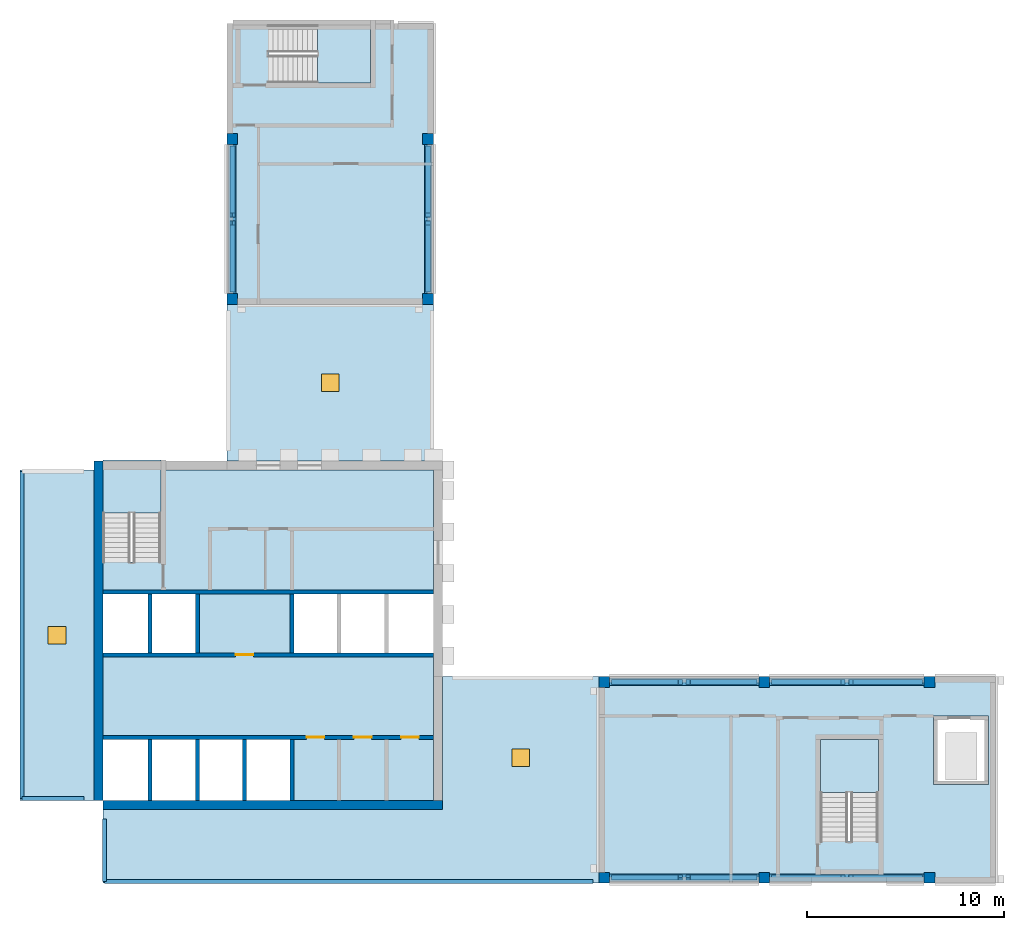
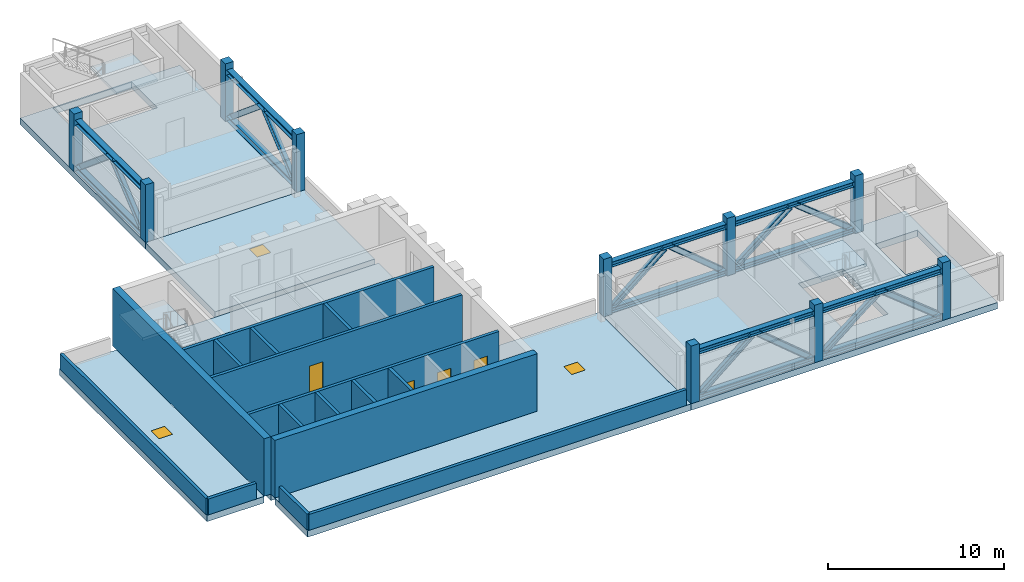
# One storey, part 1 of 8: 16 walls, 12 beams, 12 members, 10 columns, 9 slabs, 4 doors, 3 windows, 7 openings, 3 elements without a shape of their own.
"""IFC4 building model written with IfcOpenShell, lengths in metres."""

import ifcopenshell
import ifcopenshell.guid

model = None  # the IFC model being written
_history = None  # IfcOwnerHistory: only IFC2X3 demands one
_inside = {}  # id of a spatial element -> (the spatial element, [elements in it])
_under = {}  # id of a project, library or spatial element -> (it, [spatial elements below it])
_declared = {}  # id of a project -> (the project, [libraries it declares])
_typed = {}  # id of a type object -> (the type object, [elements of that type])
_made_of = {}  # id of a material, layer set ... -> (it, [elements and type objects made of it])


def new_model(schema):
    """Start an empty IFC model of exactly this schema.

    Asked for "IFC4X3", IfcOpenShell would pick the latest addendum, in which some entities
    have other attributes; the version numbers below select the first issue.
    IFC2X3 requires an IfcOwnerHistory on every rooted entity: one is made here for all.
    """
    global model, _history
    if schema == "IFC4X3":
        model = ifcopenshell.file(schema_version=(4, 3, 0, 0))
    else:
        model = ifcopenshell.file(schema=schema)
    _inside.clear()
    _under.clear()
    _declared.clear()
    _typed.clear()
    _made_of.clear()
    _history = None
    if model.schema == "IFC2X3":
        org = make("IfcOrganization", Name="unknown")
        user = make(
            "IfcPersonAndOrganization",
            ThePerson=make("IfcPerson", FamilyName="unknown"),
            TheOrganization=org,
        )
        app = make(
            "IfcApplication",
            ApplicationDeveloper=org,
            Version="unknown",
            ApplicationFullName="unknown",
            ApplicationIdentifier="unknown",
        )
        _history = make(
            "IfcOwnerHistory",
            OwningUser=user,
            OwningApplication=app,
            ChangeAction="ADDED",
            CreationDate=0,
        )
    return model


def make(cls, **values):
    """One entity of the class cls with the attributes given. An attribute that is None is left unset."""
    return model.create_entity(
        cls, **{name: value for name, value in values.items() if value is not None}
    )


def rooted(cls, **values):
    """An entity with a GlobalId (a new one), such as an element, a storey or a relation."""
    return make(cls, GlobalId=ifcopenshell.guid.new(), OwnerHistory=_history, **values)


def si_unit(unit_type, name, prefix=None):
    """IfcSIUnit, for example si_unit("LENGTHUNIT", "METRE", prefix="MILLI")."""
    return make("IfcSIUnit", UnitType=unit_type, Prefix=prefix, Name=name)


def assignment(units):
    """IfcUnitAssignment: the units of a project."""
    return None if units is None else make("IfcUnitAssignment", Units=units)


def point(xyz):
    """IfcCartesianPoint."""
    return None if xyz is None else make("IfcCartesianPoint", Coordinates=xyz)


def direction(xyz):
    """IfcDirection."""
    return None if xyz is None else make("IfcDirection", DirectionRatios=xyz)


def frame(location, z_axis=None, x_axis=None):
    """IfcAxis2Placement3D, a coordinate frame: its origin and axes. An axis left out is left unset."""
    return make(
        "IfcAxis2Placement3D",
        Location=point(location),
        Axis=direction(z_axis),
        RefDirection=direction(x_axis),
    )


def frame_2d(location, x_axis=None):
    """IfcAxis2Placement2D, a coordinate frame in the plane: its origin and x axis."""
    return make(
        "IfcAxis2Placement2D", Location=point(location), RefDirection=direction(x_axis)
    )


def origin():
    """The frame at (0, 0, 0) with its axes left unset."""
    return frame((0.0, 0.0, 0.0))


def origin_2d():
    """The frame at (0, 0) in the plane with its x axis left unset."""
    return frame_2d((0.0, 0.0))


def place(relative_to, where):
    """IfcLocalPlacement: puts the frame where relative to a parent placement (None: the world)."""
    return make(
        "IfcLocalPlacement", PlacementRelTo=relative_to, RelativePlacement=where
    )


def context(
    kind, dimensions, precision=None, world=None, true_north=None, identifier=None
):
    """IfcGeometricRepresentationContext, for example the 3D "Model" context."""
    return make(
        "IfcGeometricRepresentationContext",
        ContextIdentifier=identifier,
        ContextType=kind,
        CoordinateSpaceDimension=dimensions,
        Precision=precision,
        WorldCoordinateSystem=world,
        TrueNorth=true_north,
    )


def subcontext(parent, identifier, kind, view, scale=None):
    """IfcGeometricRepresentationSubContext, for example "Body" below "Model"."""
    return make(
        "IfcGeometricRepresentationSubContext",
        ContextIdentifier=identifier,
        ContextType=kind,
        ParentContext=parent,
        TargetScale=scale,
        TargetView=view,
    )


def project(units=None, contexts=None):
    """IfcProject with its units and contexts."""
    return rooted(
        "IfcProject",
        Name="project",
        RepresentationContexts=contexts,
        UnitsInContext=assignment(units),
    )


def spatial(cls, under=None, at=None, **own):
    """A site, building, storey or space (cls), placed at a placement, below another one or the project."""
    s = rooted(cls, ObjectPlacement=at, **own)
    if under is not None:
        _under.setdefault(under.id(), (under, []))[1].append(s)
    return s


def polyline(points):
    """IfcPolyline through the points."""
    return make("IfcPolyline", Points=[point(p) for p in points])


def profile(cls, at=None, kind="AREA", **sizes):
    """A parametric profile (cls). Its sizes go by their IFC names, for example OverallWidth=200.0."""
    return make(cls, ProfileType=kind, Position=at, **sizes)


def rectangle(**sizes):
    """IfcRectangleProfileDef."""
    return profile("IfcRectangleProfileDef", **sizes)


def i_section(**sizes):
    """IfcIShapeProfileDef."""
    return profile("IfcIShapeProfileDef", **sizes)


def outline(outer, holes=None, kind="AREA"):
    """IfcArbitraryClosedProfileDef: a profile drawn as a closed curve; with holes, ...WithVoids."""
    if holes is None:
        return make("IfcArbitraryClosedProfileDef", ProfileType=kind, OuterCurve=outer)
    return make(
        "IfcArbitraryProfileDefWithVoids",
        ProfileType=kind,
        OuterCurve=outer,
        InnerCurves=holes,
    )


def extrude(swept, where, along, depth):
    """IfcExtrudedAreaSolid: the profile swept, set in the frame where, extruded along a direction by depth."""
    return make(
        "IfcExtrudedAreaSolid",
        SweptArea=swept,
        Position=where,
        ExtrudedDirection=direction(along),
        Depth=depth,
    )


def shape(context_of_items, identifier, shape_type, items):
    """IfcShapeRepresentation: the items that make up one representation, for example the "Body"."""
    return make(
        "IfcShapeRepresentation",
        ContextOfItems=context_of_items,
        RepresentationIdentifier=identifier,
        RepresentationType=shape_type,
        Items=items,
    )


def source(mapping_origin, context_of_items, identifier, shape_type, items):
    """IfcRepresentationMap: a shape defined once, which mapped items show again and again."""
    return make(
        "IfcRepresentationMap",
        MappingOrigin=mapping_origin,
        MappedRepresentation=shape(context_of_items, identifier, shape_type, items),
    )


def transform(
    local_origin,
    x_axis=None,
    y_axis=None,
    z_axis=None,
    scale=None,
    scale2=None,
    scale3=None,
    uniform=True,
):
    """IfcCartesianTransformationOperator3D, or its non-uniform kind. x_axis, y_axis, z_axis: its Axis1, 2, 3."""
    if uniform:
        return make(
            "IfcCartesianTransformationOperator3D",
            Axis1=direction(x_axis),
            Axis2=direction(y_axis),
            LocalOrigin=point(local_origin),
            Scale=scale,
            Axis3=direction(z_axis),
        )
    return make(
        "IfcCartesianTransformationOperator3DnonUniform",
        Axis1=direction(x_axis),
        Axis2=direction(y_axis),
        LocalOrigin=point(local_origin),
        Scale=scale,
        Axis3=direction(z_axis),
        Scale2=scale2,
        Scale3=scale3,
    )


def mapped(mapping_source, mapping_target):
    """IfcMappedItem: shows the shape of a source again, moved by a transform."""
    return make(
        "IfcMappedItem", MappingSource=mapping_source, MappingTarget=mapping_target
    )


def material(Name=None, Category=None):
    """IfcMaterial."""
    return make("IfcMaterial", Name=Name, Category=Category)


def layer(
    of_material, thickness, ventilated=None, Name=None, Category=None, Priority=None
):
    """IfcMaterialLayer: one layer of a wall or slab, of a material (None: an air gap)."""
    return make(
        "IfcMaterialLayer",
        Material=of_material,
        LayerThickness=thickness,
        IsVentilated=ventilated,
        Name=Name,
        Category=Category,
        Priority=Priority,
    )


def layer_set(layers, Name=None):
    """IfcMaterialLayerSet."""
    return make("IfcMaterialLayerSet", MaterialLayers=layers, LayerSetName=Name)


def material_profile(
    of_material, cross_section, Name=None, Category=None, Priority=None
):
    """IfcMaterialProfile: a cross section and its material."""
    return make(
        "IfcMaterialProfile",
        Name=Name,
        Material=of_material,
        Profile=cross_section,
        Priority=Priority,
        Category=Category,
    )


def profile_set(profiles, Name=None, composite=None):
    """IfcMaterialProfileSet."""
    return make(
        "IfcMaterialProfileSet",
        Name=Name,
        MaterialProfiles=profiles,
        CompositeProfile=composite,
    )


def made_of(thing, what):
    """Note that an element or type object is made of a material, layer set ...; save() writes the relation."""
    if what is not None:
        _made_of.setdefault(what.id(), (what, []))[1].append(thing)
    return thing


def type_object(cls, material=None, **own):
    """A type object (cls), such as IfcWallType, which elements share."""
    return made_of(rooted(cls, **own), material)


def element(
    cls,
    number,
    at=None,
    inside=None,
    cuts=None,
    type_object=None,
    material=None,
    context=None,
    identifier="Body",
    shape_type=None,
    held_by="IfcProductDefinitionShape",
    body=None,
    shapes=None,
    **own,
):
    """One element of the class cls, such as IfcWall. Its Tag is "e" and its number.

    at: its placement. inside: the storey or other place that contains it. cuts: it is an
    opening in that element (IfcRelVoidsElement). A single representation is given by context,
    identifier, shape_type and body (its items); several are given by shapes. held_by: the class
    of the entity that holds the representations. save() writes the other relations.
    """
    e = rooted(cls, Tag="e%d" % number, ObjectPlacement=at, **own)
    if body is not None:
        shapes = [shape(context, identifier, shape_type, body)]
    if shapes is not None:
        e.Representation = make(held_by, Representations=shapes)
    if inside is not None:
        _inside.setdefault(inside.id(), (inside, []))[1].append(e)
    if cuts is not None:
        rooted(
            "IfcRelVoidsElement", RelatingBuildingElement=cuts, RelatedOpeningElement=e
        )
    if type_object is not None:
        _typed.setdefault(type_object.id(), (type_object, []))[1].append(e)
    return made_of(e, material)


def fill(opening, filler):
    """IfcRelFillsElement: the door or window that sits in an opening."""
    return rooted(
        "IfcRelFillsElement",
        RelatingOpeningElement=opening,
        RelatedBuildingElement=filler,
    )


def aggregate(whole, parts):
    """IfcRelAggregates: a whole, such as a stair, and the parts it consists of."""
    return rooted("IfcRelAggregates", RelatingObject=whole, RelatedObjects=parts)


def save(model, path):
    """Write the relations noted so far, then the file.

    IfcRelAggregates (storeys below a building ...), IfcRelContainedInSpatialStructure (elements
    in a storey), IfcRelDefinesByType, IfcRelAssociatesMaterial and IfcRelDeclares: one each for
    every whole, place, type object, material and project.
    """
    for whole, parts in _under.values():
        aggregate(whole, parts)
    for where, things in _inside.values():
        rooted(
            "IfcRelContainedInSpatialStructure",
            RelatedElements=things,
            RelatingStructure=where,
        )
    for kind, things in _typed.values():
        rooted("IfcRelDefinesByType", RelatedObjects=things, RelatingType=kind)
    for what, things in _made_of.values():
        rooted("IfcRelAssociatesMaterial", RelatedObjects=things, RelatingMaterial=what)
    for by, libraries in _declared.values():
        rooted("IfcRelDeclares", RelatingContext=by, RelatedDefinitions=libraries)
    model.write(path)


model = new_model("IFC4")

# Units and contexts
model_context = context("Model", 3, precision=1e-05, world=origin(), true_north=direction((0.0, 1.0)))
body_context = subcontext(model_context, "Body", "Model", "MODEL_VIEW")
ifc_project = project(units=[si_unit("LENGTHUNIT", "METRE"), si_unit("AREAUNIT", "SQUARE_METRE"), si_unit("VOLUMEUNIT", "CUBIC_METRE"), si_unit("PLANEANGLEUNIT", "RADIAN"), si_unit("MASSUNIT", "GRAM", prefix="KILO")], contexts=[model_context])

# Site, building, storey
site_placement = place(None, origin())
site = spatial("IfcSite", under=ifc_project, at=site_placement, CompositionType="ELEMENT")
building_placement = place(site_placement, origin())
building = spatial("IfcBuilding", under=site, at=building_placement, Name="Aurelian Terraces", CompositionType="ELEMENT")
storey_placement = place(building_placement, frame((0.0, 0.0, 368.5)))
storey = spatial("IfcBuildingStorey", under=building, at=storey_placement, Name="L88", CompositionType="ELEMENT", Elevation=368.5)

# Columns
ifc_material_1 = material(Name="Concrete fc' 55 MPa", Category="concrete")
ifc_material_profile_1 = material_profile(ifc_material_1, rectangle(XDim=0.55, YDim=0.55, at=origin_2d()))
ifc_profile_set_1 = profile_set([ifc_material_profile_1], Name="Concrete fc' 55 MPa")
column_type = type_object("IfcColumnType", Name="RC COLUMN 550X550 FC55", PredefinedType="COLUMN", material=ifc_profile_set_1)
column_placement = place(storey_placement, frame((29.675, 0.275, 0.0), z_axis=(0.0, 0.0, 1.0), x_axis=(1.0, 0.0, 0.0)))
element("IfcColumn", 1, at=column_placement, inside=storey, type_object=column_type, Name="Column 4/A L88", PredefinedType="COLUMN", context=body_context, shape_type="SweptSolid", body=[
    extrude(rectangle(XDim=0.55, YDim=0.55, at=origin_2d()), origin(), (0.0, 0.0, 1.0), 4.0),
])
shared_shape_1 = source(origin(), body_context, "Body", "SweptSolid", [
    extrude(rectangle(XDim=0.55, YDim=0.55, at=origin_2d()), origin(), (0.0, 0.0, 1.0), 4.0),
])
for number, where, z_axis, x_axis, name in (
    (2, (37.8, 0.275, 0.0), (0.0, 0.0, 1.0), (1.0, 0.0, 0.0), "Column 5/A L88"),
    (3, (46.2, 0.275, 0.0), (0.0, 0.0, 1.0), (1.0, 0.0, 0.0), "Column 6/A L88"),
    (4, (29.675, 10.225, 0.0), (0.0, 0.0, 1.0), (1.0, 0.0, 0.0), "Column 4/B L88"),
    (5, (37.8, 10.225, 0.0), (0.0, 0.0, 1.0), (1.0, 0.0, 0.0), "Column 5/B L88"),
    (6, (46.2, 10.225, 0.0), (0.0, 0.0, 1.0), (1.0, 0.0, 0.0), "Column 6/B L88"),
    (7, (10.775, 29.675, 0.0), (0.0, 0.0, 1.0), (1.0, 0.0, 0.0), "Column 2/D L88"),
    (8, (20.725, 29.675, 0.0), (0.0, 0.0, 1.0), (1.0, 0.0, 0.0), "Column 3/D L88"),
    (9, (10.775, 37.8, 0.0), (0.0, 0.0, 1.0), (1.0, 0.0, 0.0), "Column 2/E L88"),
    (10, (20.725, 37.8, 0.0), (0.0, 0.0, 1.0), (1.0, 0.0, 0.0), "Column 3/E L88"),
):
    element("IfcColumn", number, at=place(storey_placement, frame(where, z_axis=z_axis, x_axis=x_axis)), inside=storey, type_object=column_type, Name=name, PredefinedType="COLUMN", context=body_context, shape_type="MappedRepresentation", body=[
        mapped(shared_shape_1, transform((0.0, 0.0, 0.0), scale=1.0)),
    ])

# Members
ifc_material_2 = material(Name="Steel ASTM A992 Gr50", Category="steel")
ifc_material_profile_2 = material_profile(ifc_material_2, i_section(OverallWidth=0.2549, OverallDepth=0.3566, WebThickness=0.0105, FlangeThickness=0.0183, at=origin_2d()))
ifc_profile_set_2 = profile_set([ifc_material_profile_2], Name="Steel ASTM A992 Gr50")
member_type = type_object("IfcMemberType", Name="CROWN DIAGONAL W14X68", PredefinedType="BRACE", material=ifc_profile_set_2)
member_1_placement = place(storey_placement, frame((30.15, 0.275, 0.3561), z_axis=(0.767409198371, 0.0, 0.641157642282), x_axis=(0.0, 1.0, 0.0)))
element("IfcMember", 11, at=member_1_placement, inside=storey, type_object=member_type, Name="Crown diagonal 1a", PredefinedType="BRACE", context=body_context, shape_type="SweptSolid", body=[
    extrude(i_section(OverallWidth=0.2549, OverallDepth=0.3566, WebThickness=0.0105, FlangeThickness=0.0183, at=origin_2d()), origin(), (0.0, 0.0, 1.0), 4.4142),
])
member_2_placement = place(storey_placement, frame((38.275, 0.275, 0.3561), z_axis=(0.779766940385, 0.0, 0.626069899199), x_axis=(0.0, 1.0, 0.0)))
element("IfcMember", 12, at=member_2_placement, inside=storey, type_object=member_type, Name="Crown diagonal 2a", PredefinedType="BRACE", context=body_context, shape_type="SweptSolid", body=[
    extrude(i_section(OverallWidth=0.2549, OverallDepth=0.3566, WebThickness=0.0105, FlangeThickness=0.0183, at=origin_2d()), origin(), (0.0, 0.0, 1.0), 4.5206),
])

# Beams
ifc_material_profile_3 = material_profile(ifc_material_2, i_section(OverallWidth=0.371, OverallDepth=0.3637, WebThickness=0.0133, FlangeThickness=0.0218, at=origin_2d()))
ifc_profile_set_3 = profile_set([ifc_material_profile_3], Name="Steel ASTM A992 Gr50")
beam_type_1 = type_object("IfcBeamType", Name="CW901 CROWN CHORD W14X109", PredefinedType="BEAM", material=ifc_profile_set_3)
beam_1_placement = place(storey_placement, frame((29.95, 0.275, 3.3682), z_axis=(1.0, 0.0, 0.0), x_axis=(0.0, 1.0, 0.0)))
element("IfcBeam", 13, at=beam_1_placement, inside=storey, type_object=beam_type_1, Name="Crown top chord 1", PredefinedType="BEAM", context=body_context, shape_type="SweptSolid", body=[
    extrude(i_section(OverallWidth=0.371, OverallDepth=0.3637, WebThickness=0.0133, FlangeThickness=0.0218, at=origin_2d()), origin(), (0.0, 0.0, 1.0), 7.575),
])
beam_2_placement = place(storey_placement, frame((38.075, 0.275, 3.3682), z_axis=(1.0, 0.0, 0.0), x_axis=(0.0, 1.0, 0.0)))
element("IfcBeam", 14, at=beam_2_placement, inside=storey, type_object=beam_type_1, Name="Crown top chord 2", PredefinedType="BEAM", context=body_context, shape_type="SweptSolid", body=[
    extrude(i_section(OverallWidth=0.371, OverallDepth=0.3637, WebThickness=0.0133, FlangeThickness=0.0218, at=origin_2d()), origin(), (0.0, 0.0, 1.0), 7.85),
])
ifc_material_profile_4 = material_profile(ifc_material_2, i_section(OverallWidth=0.3688, OverallDepth=0.3561, WebThickness=0.0112, FlangeThickness=0.018, at=origin_2d()))
ifc_profile_set_4 = profile_set([ifc_material_profile_4], Name="Steel ASTM A992 Gr50")
beam_type_2 = type_object("IfcBeamType", Name="CW902 CROWN CHORD W14X90", PredefinedType="BEAM", material=ifc_profile_set_4)
beam_3_placement = place(storey_placement, frame((29.95, 0.275, 0.178), z_axis=(1.0, 0.0, 0.0), x_axis=(0.0, 1.0, 0.0)))
element("IfcBeam", 15, at=beam_3_placement, inside=storey, type_object=beam_type_2, Name="Crown bottom chord 1", PredefinedType="BEAM", context=body_context, shape_type="SweptSolid", body=[
    extrude(i_section(OverallWidth=0.3688, OverallDepth=0.3561, WebThickness=0.0112, FlangeThickness=0.018, at=origin_2d()), origin(), (0.0, 0.0, 1.0), 7.575),
])
beam_4_placement = place(storey_placement, frame((38.075, 0.275, 0.178), z_axis=(1.0, 0.0, 0.0), x_axis=(0.0, 1.0, 0.0)))
element("IfcBeam", 16, at=beam_4_placement, inside=storey, type_object=beam_type_2, Name="Crown bottom chord 2", PredefinedType="BEAM", context=body_context, shape_type="SweptSolid", body=[
    extrude(i_section(OverallWidth=0.3688, OverallDepth=0.3561, WebThickness=0.0112, FlangeThickness=0.018, at=origin_2d()), origin(), (0.0, 0.0, 1.0), 7.85),
])

# Members
shared_shape_2 = source(origin(), body_context, "Body", "SweptSolid", [
    extrude(i_section(OverallWidth=0.2549, OverallDepth=0.3566, WebThickness=0.0105, FlangeThickness=0.0183, at=origin_2d()), origin(), (0.0, 0.0, 1.0), 4.4142),
])
for number, where, z_axis, x_axis, name in (
    (17, (33.9375, 0.275, 3.1863), (0.767409198371, 0.0, -0.641157642282), (0.0, 1.0, 0.0), "Crown diagonal 1b"),
    (18, (30.15, 10.225, 0.3561), (0.767409198371, 0.0, 0.641157642282), (0.0, 1.0, 0.0), "Crown diagonal 3a"),
    (19, (33.9375, 10.225, 3.1863), (0.767409198371, 0.0, -0.641157642282), (0.0, 1.0, 0.0), "Crown diagonal 3b"),
    (20, (10.775, 30.15, 0.3561), (0.0, 0.767409198371, 0.641157642282), (-1.0, 0.0, 0.0), "Crown diagonal 5a"),
    (21, (10.775, 33.9375, 3.1863), (0.0, 0.767409198371, -0.641157642282), (-1.0, 0.0, 0.0), "Crown diagonal 5b"),
    (22, (20.725, 30.15, 0.3561), (0.0, 0.767409198371, 0.641157642282), (-1.0, 0.0, 0.0), "Crown diagonal 6a"),
    (23, (20.725, 33.9375, 3.1863), (0.0, 0.767409198371, -0.641157642282), (-1.0, 0.0, 0.0), "Crown diagonal 6b"),
):
    element("IfcMember", number, at=place(storey_placement, frame(where, z_axis=z_axis, x_axis=x_axis)), inside=storey, type_object=member_type, Name=name, PredefinedType="BRACE", context=body_context, shape_type="MappedRepresentation", body=[
        mapped(shared_shape_2, transform((0.0, 0.0, 0.0), scale=1.0)),
    ])
shared_shape_3 = source(origin(), body_context, "Body", "SweptSolid", [
    extrude(i_section(OverallWidth=0.2549, OverallDepth=0.3566, WebThickness=0.0105, FlangeThickness=0.0183, at=origin_2d()), origin(), (0.0, 0.0, 1.0), 4.5206),
])
for number, where, z_axis, x_axis, name in (
    (24, (42.2, 0.275, 3.1863), (0.779766940385, 0.0, -0.626069899199), (0.0, 1.0, 0.0), "Crown diagonal 2b"),
    (25, (38.275, 10.225, 0.3561), (0.779766940385, 0.0, 0.626069899199), (0.0, 1.0, 0.0), "Crown diagonal 4a"),
    (26, (42.2, 10.225, 3.1863), (0.779766940385, 0.0, -0.626069899199), (0.0, 1.0, 0.0), "Crown diagonal 4b"),
):
    element("IfcMember", number, at=place(storey_placement, frame(where, z_axis=z_axis, x_axis=x_axis)), inside=storey, type_object=member_type, Name=name, PredefinedType="BRACE", context=body_context, shape_type="MappedRepresentation", body=[
        mapped(shared_shape_3, transform((0.0, 0.0, 0.0), scale=1.0)),
    ])

# Beams
shared_shape_4 = source(origin(), body_context, "Body", "SweptSolid", [
    extrude(i_section(OverallWidth=0.371, OverallDepth=0.3637, WebThickness=0.0133, FlangeThickness=0.0218, at=origin_2d()), origin(), (0.0, 0.0, 1.0), 7.575),
])
for number, where, z_axis, x_axis, name in (
    (27, (29.95, 10.225, 3.3682), (1.0, 0.0, 0.0), (0.0, 1.0, 0.0), "Crown top chord 3"),
    (28, (10.775, 29.95, 3.3682), (0.0, 1.0, 0.0), (-1.0, 0.0, 0.0), "Crown top chord 5"),
    (29, (20.725, 29.95, 3.3682), (0.0, 1.0, 0.0), (-1.0, 0.0, 0.0), "Crown top chord 6"),
):
    element("IfcBeam", number, at=place(storey_placement, frame(where, z_axis=z_axis, x_axis=x_axis)), inside=storey, type_object=beam_type_1, Name=name, PredefinedType="BEAM", context=body_context, shape_type="MappedRepresentation", body=[
        mapped(shared_shape_4, transform((0.0, 0.0, 0.0), scale=1.0)),
    ])
shared_shape_5 = source(origin(), body_context, "Body", "SweptSolid", [
    extrude(i_section(OverallWidth=0.3688, OverallDepth=0.3561, WebThickness=0.0112, FlangeThickness=0.018, at=origin_2d()), origin(), (0.0, 0.0, 1.0), 7.575),
])
for number, where, z_axis, x_axis, name in (
    (30, (29.95, 10.225, 0.178), (1.0, 0.0, 0.0), (0.0, 1.0, 0.0), "Crown bottom chord 3"),
    (31, (10.775, 29.95, 0.178), (0.0, 1.0, 0.0), (-1.0, 0.0, 0.0), "Crown bottom chord 5"),
    (32, (20.725, 29.95, 0.178), (0.0, 1.0, 0.0), (-1.0, 0.0, 0.0), "Crown bottom chord 6"),
):
    element("IfcBeam", number, at=place(storey_placement, frame(where, z_axis=z_axis, x_axis=x_axis)), inside=storey, type_object=beam_type_2, Name=name, PredefinedType="BEAM", context=body_context, shape_type="MappedRepresentation", body=[
        mapped(shared_shape_5, transform((0.0, 0.0, 0.0), scale=1.0)),
    ])
shared_shape_6 = source(origin(), body_context, "Body", "SweptSolid", [
    extrude(i_section(OverallWidth=0.371, OverallDepth=0.3637, WebThickness=0.0133, FlangeThickness=0.0218, at=origin_2d()), origin(), (0.0, 0.0, 1.0), 7.85),
])
beam_5_placement = place(storey_placement, frame((38.075, 10.225, 3.3682), z_axis=(1.0, 0.0, 0.0), x_axis=(0.0, 1.0, 0.0)))
element("IfcBeam", 33, at=beam_5_placement, inside=storey, type_object=beam_type_1, Name="Crown top chord 4", PredefinedType="BEAM", context=body_context, shape_type="MappedRepresentation", body=[
    mapped(shared_shape_6, transform((0.0, 0.0, 0.0), scale=1.0)),
])
shared_shape_7 = source(origin(), body_context, "Body", "SweptSolid", [
    extrude(i_section(OverallWidth=0.3688, OverallDepth=0.3561, WebThickness=0.0112, FlangeThickness=0.018, at=origin_2d()), origin(), (0.0, 0.0, 1.0), 7.85),
])
beam_6_placement = place(storey_placement, frame((38.075, 10.225, 0.178), z_axis=(1.0, 0.0, 0.0), x_axis=(0.0, 1.0, 0.0)))
element("IfcBeam", 34, at=beam_6_placement, inside=storey, type_object=beam_type_2, Name="Crown bottom chord 4", PredefinedType="BEAM", context=body_context, shape_type="MappedRepresentation", body=[
    mapped(shared_shape_7, transform((0.0, 0.0, 0.0), scale=1.0)),
])

# Slabs
ifc_material_3 = material(Name="Concrete fc' 40 MPa", Category="concrete")
ifc_layer_1 = layer(ifc_material_3, 0.45)
ifc_layer_set_1 = layer_set([ifc_layer_1], Name="PT FLAT PLATE 450")
slab_type_1 = type_object("IfcSlabType", Name="PT FLAT PLATE 450", PredefinedType="FLOOR", material=ifc_layer_set_1)
slab_1_placement = place(storey_placement, frame((0.0, 0.0, -0.45)))
element("IfcSlab", 35, at=slab_1_placement, inside=storey, type_object=slab_type_1, Name="Floor slab A L88", PredefinedType="FLOOR", context=body_context, shape_type="SweptSolid", body=[
    extrude(outline(polyline([(37.8, 0.0), (29.4, 0.0), (29.4, 10.5), (49.56, 10.5), (49.56, 6.3), (49.56, 4.2), (49.56, 0.0), (46.2, 0.0), (37.8, 0.0)]), holes=[polyline([(49.19, 8.49), (46.41, 8.49), (46.41, 5.01), (49.19, 5.01), (49.19, 8.49)]), polyline([(40.66, 2.11), (43.59, 2.11), (43.59, 7.29), (40.66, 7.29), (40.66, 2.11)])]), origin(), (0.0, 0.0, 1.0), 0.45),
])
slab_2_placement = place(storey_placement, frame((0.0, 0.0, -0.45)))
element("IfcSlab", 36, at=slab_2_placement, inside=storey, type_object=slab_type_1, Name="Floor slab B L88", PredefinedType="FLOOR", context=body_context, shape_type="SweptSolid", body=[
    extrude(outline(polyline([(14.7, 43.68), (16.8, 43.68), (21.0, 43.68), (21.0, 37.8), (21.0, 29.4), (10.5, 29.4), (10.5, 43.68), (14.7, 43.68)]), holes=[polyline([(17.79, 43.59), (12.61, 43.59), (12.61, 40.66), (17.79, 40.66), (17.79, 43.59)])]), origin(), (0.0, 0.0, 1.0), 0.45),
])
slab_3_placement = place(storey_placement, frame((0.0, 0.0, -0.45)))
element("IfcSlab", 37, at=slab_3_placement, inside=storey, type_object=slab_type_1, Name="Floor slab C L88", PredefinedType="FLOOR", context=body_context, shape_type="SweptSolid", body=[
    extrude(outline(polyline([(21.0, 21.0), (21.0, 4.2), (4.2, 4.2), (4.2, 21.0), (4.21, 21.0), (4.21, 16.31), (7.14, 16.31), (7.14, 21.0), (21.0, 21.0)]), holes=[polyline([(20.99, 14.89), (13.81, 14.89), (13.81, 11.51), (20.99, 11.51), (20.99, 14.89)]), polyline([(4.21, 7.49), (4.21, 4.21), (13.79, 4.21), (13.79, 7.49), (4.21, 7.49)]), polyline([(8.99, 11.51), (8.99, 14.89), (4.21, 14.89), (4.21, 11.51), (8.99, 11.51)])]), origin(), (0.0, 0.0, 1.0), 0.45),
])

# Slab, opening, window
ifc_layer_2 = layer(ifc_material_3, 0.45)
ifc_layer_set_2 = layer_set([ifc_layer_2], Name="Roof slab 450")
slab_type_2 = type_object("IfcSlabType", Name="Roof slab 450", PredefinedType="ROOF", material=ifc_layer_set_2)
slab_4_placement = place(storey_placement, frame((0.0, 0.0, -0.45)))
slab_4 = element("IfcSlab", 38, at=slab_4_placement, inside=storey, type_object=slab_type_2, Name="Roof slab L88 L88-X1", PredefinedType="ROOF", context=body_context, shape_type="SweptSolid", body=[
    extrude(outline(polyline([(4.2, 3.749), (21.45, 3.749), (21.4501, 3.749), (21.4502, 3.749), (21.4503, 3.749), (21.4504, 3.7491), (21.4505, 3.7491), (21.4506, 3.7492), (21.4506, 3.7492), (21.4507, 3.7493), (21.4508, 3.7494), (21.4508, 3.7494), (21.4509, 3.7495), (21.4509, 3.7496), (21.451, 3.7497), (21.451, 3.7498), (21.451, 3.7499), (21.451, 3.75), (21.451, 10.5), (29.4, 10.5), (29.4, 0.0), (21.0, 0.0), (4.2, 0.0), (4.2, 3.749)])), origin(), (0.0, 0.0, 1.0), 0.45),
])
opening_1_placement = place(slab_4_placement, frame((25.425, 6.375, 0.0)))
opening_1 = element("IfcOpeningElement", 39, at=opening_1_placement, cuts=slab_4, Name="Opening RH1", PredefinedType="OPENING", context=body_context, shape_type="SweptSolid", body=[
    extrude(rectangle(XDim=0.9, YDim=0.9, at=origin_2d()), frame((0.0, 0.0, -0.01)), (0.0, 0.0, 1.0), 0.47),
])
ifc_material_4 = material(Name="Clear glazing", Category="glass")
window_type = type_object("IfcWindowType", Name="ROOF HATCH", PartitioningType="SINGLE_PANEL", PredefinedType="SKYLIGHT", material=ifc_material_4)
shared_shape_8 = source(origin(), body_context, "Body", "SweptSolid", [
    extrude(rectangle(XDim=0.9, YDim=0.9, at=origin_2d()), origin(), (0.0, 0.0, 1.0), 0.05),
])
window_1_placement = place(opening_1_placement, frame((0.0, 0.0, 0.4)))
window_1 = element("IfcWindow", 40, at=window_1_placement, inside=storey, type_object=window_type, Name="Roof access hatch L88", OverallHeight=0.9, OverallWidth=0.9, PartitioningType="SINGLE_PANEL", PredefinedType="SKYLIGHT", context=body_context, shape_type="MappedRepresentation", body=[
    mapped(shared_shape_8, transform((0.0, 0.0, 0.0), scale=1.0)),
])
fill(opening_1, window_1)

slab_5_placement = place(storey_placement, frame((0.0, 0.0, -0.45)))
slab_5 = element("IfcSlab", 41, at=slab_5_placement, inside=storey, type_object=slab_type_2, Name="Roof slab L88 L88-X2", PredefinedType="ROOF", context=body_context, shape_type="SweptSolid", body=[
    extrude(outline(polyline([(21.0, 29.4), (21.0, 21.451), (10.5, 21.451), (10.5, 29.4), (21.0, 29.4)])), origin(), (0.0, 0.0, 1.0), 0.45),
])
shared_shape_9 = source(origin(), body_context, "Body", "SweptSolid", [
    extrude(rectangle(XDim=0.9, YDim=0.9, at=origin_2d()), frame((0.0, 0.0, -0.01)), (0.0, 0.0, 1.0), 0.47),
])
opening_2_placement = place(slab_5_placement, frame((15.75, 25.425, 0.0)))
opening_2 = element("IfcOpeningElement", 42, at=opening_2_placement, cuts=slab_5, Name="Opening RH1", PredefinedType="OPENING", context=body_context, shape_type="MappedRepresentation", body=[
    mapped(shared_shape_9, transform((0.0, 0.0, 0.0), scale=1.0)),
])
window_2_placement = place(opening_2_placement, frame((0.0, 0.0, 0.4)))
window_2 = element("IfcWindow", 43, at=window_2_placement, inside=storey, type_object=window_type, Name="Roof access hatch L88", OverallHeight=0.9, OverallWidth=0.9, PartitioningType="SINGLE_PANEL", PredefinedType="SKYLIGHT", context=body_context, shape_type="MappedRepresentation", body=[
    mapped(shared_shape_8, transform((0.0, 0.0, 0.0), scale=1.0)),
])
fill(opening_2, window_2)

slab_6_placement = place(storey_placement, frame((0.0, 0.0, -0.45)))
slab_6 = element("IfcSlab", 44, at=slab_6_placement, inside=storey, type_object=slab_type_2, Name="Roof slab L88 L88-X3", PredefinedType="ROOF", context=body_context, shape_type="SweptSolid", body=[
    extrude(outline(polyline([(0.0, 10.5), (0.0, 21.0), (3.749, 21.0), (3.749, 4.2), (0.0, 4.2), (0.0, 10.5)])), origin(), (0.0, 0.0, 1.0), 0.45),
])
opening_3_placement = place(slab_6_placement, frame((1.875, 12.6, 0.0)))
opening_3 = element("IfcOpeningElement", 45, at=opening_3_placement, cuts=slab_6, Name="Opening RH1", PredefinedType="OPENING", context=body_context, shape_type="MappedRepresentation", body=[
    mapped(shared_shape_9, transform((0.0, 0.0, 0.0), scale=1.0)),
])
window_3_placement = place(opening_3_placement, frame((0.0, 0.0, 0.4)))
window_3 = element("IfcWindow", 46, at=window_3_placement, inside=storey, type_object=window_type, Name="Roof access hatch L88", OverallHeight=0.9, OverallWidth=0.9, PartitioningType="SINGLE_PANEL", PredefinedType="SKYLIGHT", context=body_context, shape_type="MappedRepresentation", body=[
    mapped(shared_shape_8, transform((0.0, 0.0, 0.0), scale=1.0)),
])
fill(opening_3, window_3)

# Stair, slab
stair_type = type_object("IfcStairType", Name="Stair 1400", PredefinedType="HALF_TURN_STAIR", material=ifc_material_3)
stair_1_placement = place(storey_placement, origin())
stair_1 = element("IfcStair", 47, at=stair_1_placement, inside=storey, type_object=stair_type, Name="L88 S3U", PredefinedType="HALF_TURN_STAIR")
ifc_layer_3 = layer(ifc_material_3, 0.2)
ifc_layer_set_3 = layer_set([ifc_layer_3], Name="Stair landing 200")
slab_type_3 = type_object("IfcSlabType", Name="Stair landing 200", PredefinedType="LANDING", material=ifc_layer_set_3)
slab_7_placement = place(storey_placement, frame((0.0, 0.0, 1.8)))
slab_7 = element("IfcSlab", 48, at=slab_7_placement, type_object=slab_type_3, Name="S3U landing 1", PredefinedType="LANDING", context=body_context, shape_type="SweptSolid", body=[
    extrude(outline(polyline([(15.1, 40.65), (17.8, 40.65), (17.8, 43.6), (15.1, 43.6), (15.1, 40.65)])), origin(), (0.0, 0.0, 1.0), 0.2),
])
aggregate(stair_1, [slab_7])

stair_2_placement = place(storey_placement, origin())
stair_2 = element("IfcStair", 49, at=stair_2_placement, inside=storey, type_object=stair_type, Name="L88 S1", PredefinedType="HALF_TURN_STAIR")
shared_shape_10 = source(origin(), body_context, "Body", "SweptSolid", [
    extrude(outline(polyline([(7.15, 18.8), (7.15, 21.5), (4.2, 21.5), (4.2, 18.8), (7.15, 18.8)])), origin(), (0.0, 0.0, 1.0), 0.2),
])
slab_8_placement = place(storey_placement, frame((0.0, 0.0, 1.8)))
slab_8 = element("IfcSlab", 50, at=slab_8_placement, type_object=slab_type_3, Name="S1 landing 1", PredefinedType="LANDING", context=body_context, shape_type="MappedRepresentation", body=[
    mapped(shared_shape_10, transform((0.0, 0.0, 0.0), scale=1.0)),
])
aggregate(stair_2, [slab_8])

stair_3_placement = place(storey_placement, origin())
stair_3 = element("IfcStair", 51, at=stair_3_placement, inside=storey, type_object=stair_type, Name="L88 S2", PredefinedType="HALF_TURN_STAIR")
shared_shape_11 = source(origin(), body_context, "Body", "SweptSolid", [
    extrude(outline(polyline([(43.6, 4.6), (43.6, 7.3), (40.65, 7.3), (40.65, 4.6), (43.6, 4.6)])), origin(), (0.0, 0.0, 1.0), 0.2),
])
slab_9_placement = place(storey_placement, frame((0.0, 0.0, 1.8)))
slab_9 = element("IfcSlab", 52, at=slab_9_placement, type_object=slab_type_3, Name="S2 landing 1", PredefinedType="LANDING", context=body_context, shape_type="MappedRepresentation", body=[
    mapped(shared_shape_11, transform((0.0, 0.0, 0.0), scale=1.0)),
])
aggregate(stair_3, [slab_9])

# Walls
ifc_layer_4 = layer(ifc_material_1, 0.45)
ifc_layer_set_4 = layer_set([ifc_layer_4], Name="CORE WALL 450 FC55")
wall_type_1 = type_object("IfcWallType", Name="CORE WALL 450 FC55", PredefinedType="SHEAR", material=ifc_layer_set_4)
wall_1_placement = place(storey_placement, frame((3.975, 4.2, 0.0), z_axis=(0.0, 0.0, 1.0), x_axis=(0.0, 1.0, 0.0)))
element("IfcWall", 53, at=wall_1_placement, inside=storey, type_object=wall_type_1, Name="Core wall W L88", PredefinedType="SHEAR", context=body_context, shape_type="SweptSolid", body=[
    extrude(rectangle(XDim=17.25, YDim=0.45, at=frame_2d((8.625, 0.0))), origin(), (0.0, 0.0, 1.0), 4.0),
])
ifc_layer_5 = layer(ifc_material_3, 0.2)
ifc_layer_set_5 = layer_set([ifc_layer_5], Name="Lift shaft wall 200")
wall_type_2 = type_object("IfcWallType", Name="Lift shaft wall 200", PredefinedType="SOLIDWALL", material=ifc_layer_set_5)
wall_2_placement = place(storey_placement, frame((6.6, 4.2, 0.0), z_axis=(0.0, 0.0, 1.0), x_axis=(0.0, 1.0, 0.0)))
element("IfcWall", 54, at=wall_2_placement, inside=storey, type_object=wall_type_2, Name="L88 core wall CD-A1", PredefinedType="SOLIDWALL", context=body_context, shape_type="SweptSolid", body=[
    extrude(rectangle(XDim=3.1, YDim=0.2, at=frame_2d((1.55, 0.0))), origin(), (0.0, 0.0, 1.0), 3.55),
])
wall_3_placement = place(storey_placement, frame((6.6, 11.7, 0.0), z_axis=(0.0, 0.0, 1.0), x_axis=(0.0, 1.0, 0.0)))
element("IfcWall", 55, at=wall_3_placement, inside=storey, type_object=wall_type_2, Name="L88 core wall CD-B1", PredefinedType="SOLIDWALL", context=body_context, shape_type="SweptSolid", body=[
    extrude(rectangle(XDim=3.0, YDim=0.2, at=frame_2d((1.5, 0.0))), origin(), (0.0, 0.0, 1.0), 3.55),
])

# Wall, openings, doors
wall_4_placement = place(storey_placement, frame((4.2, 7.4, 0.0), z_axis=(0.0, 0.0, 1.0), x_axis=(1.0, 0.0, 0.0)))
wall_4 = element("IfcWall", 56, at=wall_4_placement, inside=storey, type_object=wall_type_2, Name="L88 core wall CF-AF1", PredefinedType="SOLIDWALL", context=body_context, shape_type="SweptSolid", body=[
    extrude(rectangle(XDim=16.8, YDim=0.2, at=frame_2d((8.4, 0.0))), origin(), (0.0, 0.0, 1.0), 3.55),
])
shared_shape_12 = source(origin(), body_context, "Body", "SweptSolid", [
    extrude(rectangle(XDim=0.9, YDim=2.1, at=frame_2d((0.45, 1.05))), frame((0.0, 0.11, 0.0), z_axis=(0.0, -1.0, 0.0), x_axis=(1.0, 0.0, 0.0)), (0.0, 0.0, 1.0), 0.22),
])
opening_4_placement = place(wall_4_placement, frame((10.35, 0.0, 0.0)))
opening_4 = element("IfcOpeningElement", 57, at=opening_4_placement, cuts=wall_4, Name="Opening 69100", PredefinedType="OPENING", context=body_context, shape_type="MappedRepresentation", body=[
    mapped(shared_shape_12, transform((0.0, 0.0, 0.0), scale=1.0)),
])
opening_5_placement = place(wall_4_placement, frame((12.75, 0.0, 0.0)))
opening_5 = element("IfcOpeningElement", 58, at=opening_5_placement, cuts=wall_4, Name="Opening 69101", PredefinedType="OPENING", context=body_context, shape_type="MappedRepresentation", body=[
    mapped(shared_shape_12, transform((0.0, 0.0, 0.0), scale=1.0)),
])
opening_6_placement = place(wall_4_placement, frame((15.15, 0.0, 0.0)))
opening_6 = element("IfcOpeningElement", 59, at=opening_6_placement, cuts=wall_4, Name="Opening 69102", PredefinedType="OPENING", context=body_context, shape_type="MappedRepresentation", body=[
    mapped(shared_shape_12, transform((0.0, 0.0, 0.0), scale=1.0)),
])
ifc_material_5 = material(Name="Steel door leaf", Category="steel")
door_type_1 = type_object("IfcDoorType", Name="Core service door 900x2100 right", OperationType="SINGLE_SWING_RIGHT", PredefinedType="DOOR", material=ifc_material_5)
shared_shape_13 = source(origin(), body_context, "Body", "SweptSolid", [
    extrude(rectangle(XDim=0.9, YDim=2.1, at=frame_2d((0.45, 1.05))), frame((0.0, 0.025, 0.0), z_axis=(0.0, -1.0, 0.0), x_axis=(1.0, 0.0, 0.0)), (0.0, 0.0, 1.0), 0.05),
])
door_1_placement = place(opening_4_placement, origin())
door_1 = element("IfcDoor", 60, at=door_1_placement, inside=storey, type_object=door_type_1, Name="Room door 69100", OperationType="SINGLE_SWING_RIGHT", OverallHeight=2.1, OverallWidth=0.9, PredefinedType="DOOR", context=body_context, shape_type="MappedRepresentation", body=[
    mapped(shared_shape_13, transform((0.0, 0.0, 0.0), scale=1.0)),
])
fill(opening_4, door_1)
door_type_2 = type_object("IfcDoorType", Name="Core service door 900x2100", OperationType="SINGLE_SWING_LEFT", PredefinedType="DOOR", material=ifc_material_5)
door_2_placement = place(opening_5_placement, origin())
door_2 = element("IfcDoor", 61, at=door_2_placement, inside=storey, type_object=door_type_2, Name="Room door 69101", OperationType="SINGLE_SWING_LEFT", OverallHeight=2.1, OverallWidth=0.9, PredefinedType="DOOR", context=body_context, shape_type="MappedRepresentation", body=[
    mapped(shared_shape_13, transform((0.0, 0.0, 0.0), scale=1.0)),
])
fill(opening_5, door_2)
door_3_placement = place(opening_6_placement, origin())
door_3 = element("IfcDoor", 62, at=door_3_placement, inside=storey, type_object=door_type_1, Name="Room door 69102", OperationType="SINGLE_SWING_RIGHT", OverallHeight=2.1, OverallWidth=0.9, PredefinedType="DOOR", context=body_context, shape_type="MappedRepresentation", body=[
    mapped(shared_shape_13, transform((0.0, 0.0, 0.0), scale=1.0)),
])
fill(opening_6, door_3)

# Walls
ifc_material_6 = material(Name="Terracotta rainscreen cladding", Category="masonry")
ifc_layer_6 = layer(ifc_material_6, 0.2)
ifc_layer_set_6 = layer_set([ifc_layer_6], Name="PARAPET-200")
wall_type_3 = type_object("IfcWallType", Name="PARAPET-200", PredefinedType="PARAPET", material=ifc_layer_set_6)
wall_5_placement = place(storey_placement, frame((29.1, 0.09, 0.0), z_axis=(0.0, 0.0, 1.0), x_axis=(-1.0, 0.0, 0.0)))
element("IfcWall", 63, at=wall_5_placement, inside=storey, type_object=wall_type_3, Name="Parapet L88 L88-X1", PredefinedType="PARAPET", context=body_context, shape_type="SweptSolid", body=[
    extrude(rectangle(XDim=24.81, YDim=0.2, at=frame_2d((12.405, 0.0))), origin(), (0.0, 0.0, 1.0), 1.1),
])
wall_6_placement = place(storey_placement, frame((4.29, 0.09, 0.0), z_axis=(0.0, 0.0, 1.0), x_axis=(0.0, 1.0, 0.0)))
element("IfcWall", 64, at=wall_6_placement, inside=storey, type_object=wall_type_3, Name="Parapet L88 L88-X1", PredefinedType="PARAPET", context=body_context, shape_type="SweptSolid", body=[
    extrude(rectangle(XDim=3.16, YDim=0.2, at=frame_2d((1.58, 0.0))), origin(), (0.0, 0.0, 1.0), 1.1),
])
wall_7_placement = place(storey_placement, frame((0.09, 4.29, 0.0), z_axis=(0.0, 0.0, 1.0), x_axis=(0.0, 1.0, 0.0)))
element("IfcWall", 65, at=wall_7_placement, inside=storey, type_object=wall_type_3, Name="Parapet L88 L88-X3", PredefinedType="PARAPET", context=body_context, shape_type="SweptSolid", body=[
    extrude(rectangle(XDim=16.62, YDim=0.2, at=frame_2d((8.31, 0.0))), origin(), (0.0, 0.0, 1.0), 1.1),
])
shared_shape_14 = source(origin(), body_context, "Body", "SweptSolid", [
    extrude(rectangle(XDim=17.25, YDim=0.45, at=frame_2d((8.625, 0.0))), origin(), (0.0, 0.0, 1.0), 4.0),
])
wall_8_placement = place(storey_placement, frame((4.2, 3.975, 0.0), z_axis=(0.0, 0.0, 1.0), x_axis=(1.0, 0.0, 0.0)))
element("IfcWall", 66, at=wall_8_placement, inside=storey, type_object=wall_type_1, Name="Core wall S L88", PredefinedType="SHEAR", context=body_context, shape_type="MappedRepresentation", body=[
    mapped(shared_shape_14, transform((0.0, 0.0, 0.0), scale=1.0)),
])
shared_shape_15 = source(origin(), body_context, "Body", "SweptSolid", [
    extrude(rectangle(XDim=3.16, YDim=0.2, at=frame_2d((1.58, 0.0))), origin(), (0.0, 0.0, 1.0), 1.1),
])
wall_9_placement = place(storey_placement, frame((3.25, 4.29, 0.0), z_axis=(0.0, 0.0, 1.0), x_axis=(-1.0, 0.0, 0.0)))
element("IfcWall", 67, at=wall_9_placement, inside=storey, type_object=wall_type_3, Name="Parapet L88 L88-X3", PredefinedType="PARAPET", context=body_context, shape_type="MappedRepresentation", body=[
    mapped(shared_shape_15, transform((0.0, 0.0, 0.0), scale=1.0)),
])
shared_shape_16 = source(origin(), body_context, "Body", "SweptSolid", [
    extrude(rectangle(XDim=3.1, YDim=0.2, at=frame_2d((1.55, 0.0))), origin(), (0.0, 0.0, 1.0), 3.55),
])
for number, where, z_axis, x_axis, name in (
    (68, (9.0, 4.2, 0.0), (0.0, 0.0, 1.0), (0.0, 1.0, 0.0), "L88 core wall CD-A2"),
    (69, (11.4, 4.2, 0.0), (0.0, 0.0, 1.0), (0.0, 1.0, 0.0), "L88 core wall CD-A3"),
    (70, (13.8, 4.2, 0.0), (0.0, 0.0, 1.0), (0.0, 1.0, 0.0), "L88 core wall CD-A4"),
):
    element("IfcWall", number, at=place(storey_placement, frame(where, z_axis=z_axis, x_axis=x_axis)), inside=storey, type_object=wall_type_2, Name=name, PredefinedType="SOLIDWALL", context=body_context, shape_type="MappedRepresentation", body=[
        mapped(shared_shape_16, transform((0.0, 0.0, 0.0), scale=1.0)),
    ])
shared_shape_17 = source(origin(), body_context, "Body", "SweptSolid", [
    extrude(rectangle(XDim=3.0, YDim=0.2, at=frame_2d((1.5, 0.0))), origin(), (0.0, 0.0, 1.0), 3.55),
])
for number, where, z_axis, x_axis, name in (
    (71, (9.0, 11.7, 0.0), (0.0, 0.0, 1.0), (0.0, 1.0, 0.0), "L88 core wall CD-B2"),
    (72, (13.8, 11.7, 0.0), (0.0, 0.0, 1.0), (0.0, 1.0, 0.0), "L88 core wall CD-B4"),
):
    element("IfcWall", number, at=place(storey_placement, frame(where, z_axis=z_axis, x_axis=x_axis)), inside=storey, type_object=wall_type_2, Name=name, PredefinedType="SOLIDWALL", context=body_context, shape_type="MappedRepresentation", body=[
        mapped(shared_shape_17, transform((0.0, 0.0, 0.0), scale=1.0)),
    ])

# Wall, opening, door
shared_shape_18 = source(origin(), body_context, "Body", "SweptSolid", [
    extrude(rectangle(XDim=16.8, YDim=0.2, at=frame_2d((8.4, 0.0))), origin(), (0.0, 0.0, 1.0), 3.55),
])
wall_10_placement = place(storey_placement, frame((4.2, 11.6, 0.0), z_axis=(0.0, 0.0, 1.0), x_axis=(1.0, 0.0, 0.0)))
wall_10 = element("IfcWall", 73, at=wall_10_placement, inside=storey, type_object=wall_type_2, Name="L88 core wall CF-BF1", PredefinedType="SOLIDWALL", context=body_context, shape_type="MappedRepresentation", body=[
    mapped(shared_shape_18, transform((0.0, 0.0, 0.0), scale=1.0)),
])
opening_7_placement = place(wall_10_placement, frame((6.75, 0.0, 0.0)))
opening_7 = element("IfcOpeningElement", 74, at=opening_7_placement, cuts=wall_10, Name="Opening 69103", PredefinedType="OPENING", context=body_context, shape_type="MappedRepresentation", body=[
    mapped(shared_shape_12, transform((0.0, 0.0, 0.0), scale=1.0)),
])
door_4_placement = place(opening_7_placement, origin())
door_4 = element("IfcDoor", 75, at=door_4_placement, inside=storey, type_object=door_type_2, Name="Room door 69103", OperationType="SINGLE_SWING_LEFT", OverallHeight=2.1, OverallWidth=0.9, PredefinedType="DOOR", context=body_context, shape_type="MappedRepresentation", body=[
    mapped(shared_shape_13, transform((0.0, 0.0, 0.0), scale=1.0)),
])
fill(opening_7, door_4)

# Wall
wall_11_placement = place(storey_placement, frame((4.2, 14.8, 0.0), z_axis=(0.0, 0.0, 1.0), x_axis=(1.0, 0.0, 0.0)))
element("IfcWall", 76, at=wall_11_placement, inside=storey, type_object=wall_type_2, Name="L88 core wall CF-BB1", PredefinedType="SOLIDWALL", context=body_context, shape_type="MappedRepresentation", body=[
    mapped(shared_shape_18, transform((0.0, 0.0, 0.0), scale=1.0)),
])

save(model, "model.ifc")
